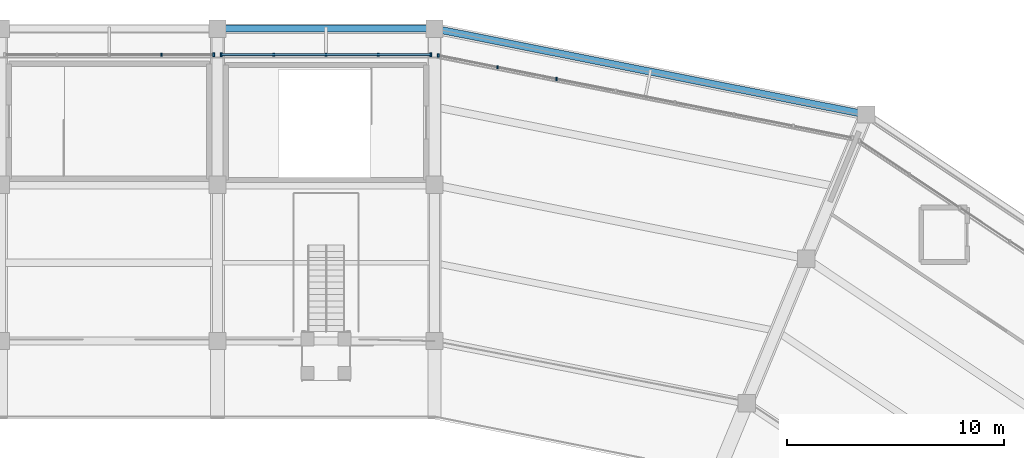
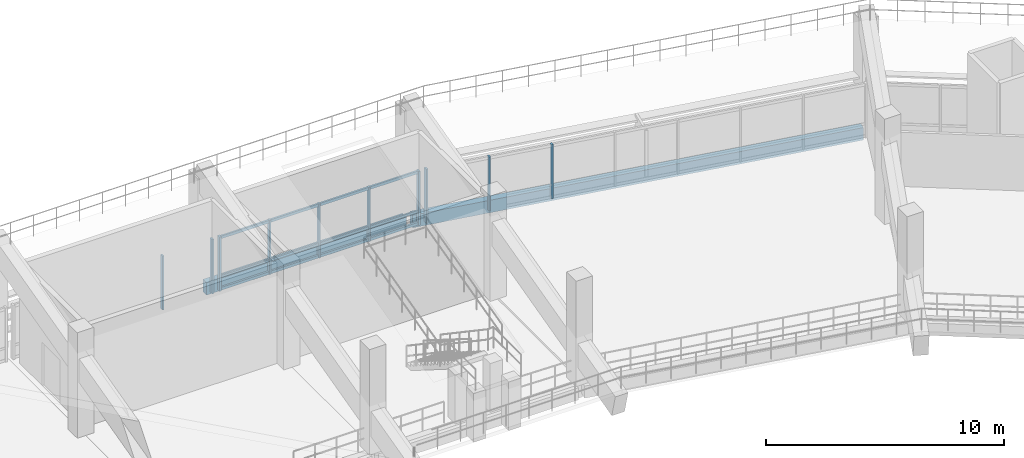
# One storey, part 46 of 96: 13 members, 2 beams, 3 elements without a shape of their own.
"""IFC4 building model written with IfcOpenShell, lengths in metres."""

import ifcopenshell
import ifcopenshell.guid

model = None  # the IFC model being written
_history = None  # IfcOwnerHistory: only IFC2X3 demands one
_inside = {}  # id of a spatial element -> (the spatial element, [elements in it])
_under = {}  # id of a project, library or spatial element -> (it, [spatial elements below it])
_declared = {}  # id of a project -> (the project, [libraries it declares])
_typed = {}  # id of a type object -> (the type object, [elements of that type])
_made_of = {}  # id of a material, layer set ... -> (it, [elements and type objects made of it])


def new_model(schema):
    """Start an empty IFC model of exactly this schema.

    Asked for "IFC4X3", IfcOpenShell would pick the latest addendum, in which some entities
    have other attributes; the version numbers below select the first issue.
    IFC2X3 requires an IfcOwnerHistory on every rooted entity: one is made here for all.
    """
    global model, _history
    if schema == "IFC4X3":
        model = ifcopenshell.file(schema_version=(4, 3, 0, 0))
    else:
        model = ifcopenshell.file(schema=schema)
    _inside.clear()
    _under.clear()
    _declared.clear()
    _typed.clear()
    _made_of.clear()
    _history = None
    if model.schema == "IFC2X3":
        org = make("IfcOrganization", Name="unknown")
        user = make(
            "IfcPersonAndOrganization",
            ThePerson=make("IfcPerson", FamilyName="unknown"),
            TheOrganization=org,
        )
        app = make(
            "IfcApplication",
            ApplicationDeveloper=org,
            Version="unknown",
            ApplicationFullName="unknown",
            ApplicationIdentifier="unknown",
        )
        _history = make(
            "IfcOwnerHistory",
            OwningUser=user,
            OwningApplication=app,
            ChangeAction="ADDED",
            CreationDate=0,
        )
    return model


def make(cls, **values):
    """One entity of the class cls with the attributes given. An attribute that is None is left unset."""
    return model.create_entity(
        cls, **{name: value for name, value in values.items() if value is not None}
    )


def rooted(cls, **values):
    """An entity with a GlobalId (a new one), such as an element, a storey or a relation."""
    return make(cls, GlobalId=ifcopenshell.guid.new(), OwnerHistory=_history, **values)


def si_unit(unit_type, name, prefix=None):
    """IfcSIUnit, for example si_unit("LENGTHUNIT", "METRE", prefix="MILLI")."""
    return make("IfcSIUnit", UnitType=unit_type, Prefix=prefix, Name=name)


def assignment(units):
    """IfcUnitAssignment: the units of a project."""
    return None if units is None else make("IfcUnitAssignment", Units=units)


def point(xyz):
    """IfcCartesianPoint."""
    return None if xyz is None else make("IfcCartesianPoint", Coordinates=xyz)


def direction(xyz):
    """IfcDirection."""
    return None if xyz is None else make("IfcDirection", DirectionRatios=xyz)


def frame(location, z_axis=None, x_axis=None):
    """IfcAxis2Placement3D, a coordinate frame: its origin and axes. An axis left out is left unset."""
    return make(
        "IfcAxis2Placement3D",
        Location=point(location),
        Axis=direction(z_axis),
        RefDirection=direction(x_axis),
    )


def frame_2d(location, x_axis=None):
    """IfcAxis2Placement2D, a coordinate frame in the plane: its origin and x axis."""
    return make(
        "IfcAxis2Placement2D", Location=point(location), RefDirection=direction(x_axis)
    )


def origin():
    """The frame at (0, 0, 0) with its axes left unset."""
    return frame((0.0, 0.0, 0.0))


def origin_2d():
    """The frame at (0, 0) in the plane with its x axis left unset."""
    return frame_2d((0.0, 0.0))


def place(relative_to, where):
    """IfcLocalPlacement: puts the frame where relative to a parent placement (None: the world)."""
    return make(
        "IfcLocalPlacement", PlacementRelTo=relative_to, RelativePlacement=where
    )


def context(
    kind, dimensions, precision=None, world=None, true_north=None, identifier=None
):
    """IfcGeometricRepresentationContext, for example the 3D "Model" context."""
    return make(
        "IfcGeometricRepresentationContext",
        ContextIdentifier=identifier,
        ContextType=kind,
        CoordinateSpaceDimension=dimensions,
        Precision=precision,
        WorldCoordinateSystem=world,
        TrueNorth=true_north,
    )


def subcontext(parent, identifier, kind, view, scale=None):
    """IfcGeometricRepresentationSubContext, for example "Body" below "Model"."""
    return make(
        "IfcGeometricRepresentationSubContext",
        ContextIdentifier=identifier,
        ContextType=kind,
        ParentContext=parent,
        TargetScale=scale,
        TargetView=view,
    )


def project(units=None, contexts=None):
    """IfcProject with its units and contexts."""
    return rooted(
        "IfcProject",
        Name="project",
        RepresentationContexts=contexts,
        UnitsInContext=assignment(units),
    )


def spatial(cls, under=None, at=None, **own):
    """A site, building, storey or space (cls), placed at a placement, below another one or the project."""
    s = rooted(cls, ObjectPlacement=at, **own)
    if under is not None:
        _under.setdefault(under.id(), (under, []))[1].append(s)
    return s


def profile(cls, at=None, kind="AREA", **sizes):
    """A parametric profile (cls). Its sizes go by their IFC names, for example OverallWidth=200.0."""
    return make(cls, ProfileType=kind, Position=at, **sizes)


def rectangle(**sizes):
    """IfcRectangleProfileDef."""
    return profile("IfcRectangleProfileDef", **sizes)


def extrude(swept, where, along, depth):
    """IfcExtrudedAreaSolid: the profile swept, set in the frame where, extruded along a direction by depth."""
    return make(
        "IfcExtrudedAreaSolid",
        SweptArea=swept,
        Position=where,
        ExtrudedDirection=direction(along),
        Depth=depth,
    )


def shape(context_of_items, identifier, shape_type, items):
    """IfcShapeRepresentation: the items that make up one representation, for example the "Body"."""
    return make(
        "IfcShapeRepresentation",
        ContextOfItems=context_of_items,
        RepresentationIdentifier=identifier,
        RepresentationType=shape_type,
        Items=items,
    )


def material(Name=None, Category=None):
    """IfcMaterial."""
    return make("IfcMaterial", Name=Name, Category=Category)


def material_profile(
    of_material, cross_section, Name=None, Category=None, Priority=None
):
    """IfcMaterialProfile: a cross section and its material."""
    return make(
        "IfcMaterialProfile",
        Name=Name,
        Material=of_material,
        Profile=cross_section,
        Priority=Priority,
        Category=Category,
    )


def profile_set(profiles, Name=None, composite=None):
    """IfcMaterialProfileSet."""
    return make(
        "IfcMaterialProfileSet",
        Name=Name,
        MaterialProfiles=profiles,
        CompositeProfile=composite,
    )


def made_of(thing, what):
    """Note that an element or type object is made of a material, layer set ...; save() writes the relation."""
    if what is not None:
        _made_of.setdefault(what.id(), (what, []))[1].append(thing)
    return thing


def type_object(cls, material=None, **own):
    """A type object (cls), such as IfcWallType, which elements share."""
    return made_of(rooted(cls, **own), material)


def element(
    cls,
    number,
    at=None,
    inside=None,
    cuts=None,
    type_object=None,
    material=None,
    context=None,
    identifier="Body",
    shape_type=None,
    held_by="IfcProductDefinitionShape",
    body=None,
    shapes=None,
    **own,
):
    """One element of the class cls, such as IfcWall. Its Tag is "e" and its number.

    at: its placement. inside: the storey or other place that contains it. cuts: it is an
    opening in that element (IfcRelVoidsElement). A single representation is given by context,
    identifier, shape_type and body (its items); several are given by shapes. held_by: the class
    of the entity that holds the representations. save() writes the other relations.
    """
    e = rooted(cls, Tag="e%d" % number, ObjectPlacement=at, **own)
    if body is not None:
        shapes = [shape(context, identifier, shape_type, body)]
    if shapes is not None:
        e.Representation = make(held_by, Representations=shapes)
    if inside is not None:
        _inside.setdefault(inside.id(), (inside, []))[1].append(e)
    if cuts is not None:
        rooted(
            "IfcRelVoidsElement", RelatingBuildingElement=cuts, RelatedOpeningElement=e
        )
    if type_object is not None:
        _typed.setdefault(type_object.id(), (type_object, []))[1].append(e)
    return made_of(e, material)


def aggregate(whole, parts):
    """IfcRelAggregates: a whole, such as a stair, and the parts it consists of."""
    return rooted("IfcRelAggregates", RelatingObject=whole, RelatedObjects=parts)


def save(model, path):
    """Write the relations noted so far, then the file.

    IfcRelAggregates (storeys below a building ...), IfcRelContainedInSpatialStructure (elements
    in a storey), IfcRelDefinesByType, IfcRelAssociatesMaterial and IfcRelDeclares: one each for
    every whole, place, type object, material and project.
    """
    for whole, parts in _under.values():
        aggregate(whole, parts)
    for where, things in _inside.values():
        rooted(
            "IfcRelContainedInSpatialStructure",
            RelatedElements=things,
            RelatingStructure=where,
        )
    for kind, things in _typed.values():
        rooted("IfcRelDefinesByType", RelatedObjects=things, RelatingType=kind)
    for what, things in _made_of.values():
        rooted("IfcRelAssociatesMaterial", RelatedObjects=things, RelatingMaterial=what)
    for by, libraries in _declared.values():
        rooted("IfcRelDeclares", RelatingContext=by, RelatedDefinitions=libraries)
    model.write(path)


model = new_model("IFC4")

# Units and contexts
model_context = context("Model", 3, precision=1e-05, world=origin(), true_north=direction((0.0, 1.0)))
body_context = subcontext(model_context, "Body", "Model", "MODEL_VIEW")
ifc_project = project(units=[si_unit("LENGTHUNIT", "METRE"), si_unit("AREAUNIT", "SQUARE_METRE"), si_unit("VOLUMEUNIT", "CUBIC_METRE"), si_unit("PLANEANGLEUNIT", "RADIAN"), si_unit("MASSUNIT", "GRAM", prefix="KILO")], contexts=[model_context])

# Site, building, storey
site_placement = place(None, origin())
site = spatial("IfcSite", under=ifc_project, at=site_placement, CompositionType="ELEMENT")
building_placement = place(site_placement, origin())
building = spatial("IfcBuilding", under=site, at=building_placement, Name="Candeia Ridge Stadium", CompositionType="ELEMENT")
storey_placement = place(building_placement, frame((0.0, 0.0, 21.60009765625)))
storey = spatial("IfcBuildingStorey", under=building, at=storey_placement, Name="L04", CompositionType="ELEMENT", Elevation=21.60009765625)

# Curtain wall, members
ifc_material_1 = material(Name="Aluminium Anodized Warm Bronze", Category="aluminium")
curtain_wall_type = type_object("IfcCurtainWallType", Name="Concourse Recessed Unitised Curtain Wall", PredefinedType="NOTDEFINED", material=ifc_material_1)
curtain_wall_1_placement = place(storey_placement, origin())
curtain_wall_1 = element("IfcCurtainWall", 1, at=curtain_wall_1_placement, inside=storey, type_object=curtain_wall_type, Name="Unitised curtain wall CW-BWL-L04-00", PredefinedType="NOTDEFINED")
ifc_material_profile_1 = material_profile(ifc_material_1, rectangle(XDim=0.090087890625, YDim=0.179931640625, at=origin_2d()), Name="CWM-90x180", Category="aluminium")
ifc_profile_set_1 = profile_set([ifc_material_profile_1], Name="Aluminium Anodized Warm Bronze")
member_type_1 = type_object("IfcMemberType", Name="Curtain Wall Primary Mullion 90x180", PredefinedType="MULLION", material=ifc_profile_set_1)
member_1_placement = place(storey_placement, frame((140.820068359375, 145.800048828125, 0.0), z_axis=(0.0, 0.0, 1.0), x_axis=(1.0, 0.0, 0.0)))
member_1 = element("IfcMember", 2, at=member_1_placement, type_object=member_type_1, Name="Curtain wall mullion CW-BWL-L04-00-M0", PredefinedType="MULLION", context=body_context, shape_type="SweptSolid", body=[
    extrude(rectangle(XDim=0.090087890625, YDim=0.179931640625, at=origin_2d()), origin(), (0.0, 0.0, 1.0), 2.772216796875),
])
member_2_placement = place(storey_placement, frame((131.179931640625, 145.800048828125, 0.0), z_axis=(0.0, 0.0, 1.0), x_axis=(1.0, 0.0, 0.0)))
member_2 = element("IfcMember", 3, at=member_2_placement, type_object=member_type_1, Name="Curtain wall mullion CW-BWL-L04-00-M4", PredefinedType="MULLION", context=body_context, shape_type="SweptSolid", body=[
    extrude(rectangle(XDim=0.090087890625, YDim=0.179931640625, at=origin_2d()), origin(), (0.0, 0.0, 1.0), 2.772216796875),
])

# Curtain wall, member
curtain_wall_2_placement = place(storey_placement, origin())
curtain_wall_2 = element("IfcCurtainWall", 4, at=curtain_wall_2_placement, inside=storey, type_object=curtain_wall_type, Name="Unitised curtain wall CW-BWL-L04-01", PredefinedType="NOTDEFINED")
member_3_placement = place(storey_placement, frame((130.820068359375, 145.800048828125, 0.0), z_axis=(0.0, 0.0, 1.0), x_axis=(1.0, 0.0, 0.0)))
member_3 = element("IfcMember", 5, at=member_3_placement, type_object=member_type_1, Name="Curtain wall mullion CW-BWL-L04-01-M0", PredefinedType="MULLION", context=body_context, shape_type="SweptSolid", body=[
    extrude(rectangle(XDim=0.090087890625, YDim=0.179931640625, at=origin_2d()), origin(), (0.0, 0.0, 1.0), 2.772216796875),
])

curtain_wall_3_placement = place(storey_placement, origin())
curtain_wall_3 = element("IfcCurtainWall", 6, at=curtain_wall_3_placement, inside=storey, type_object=curtain_wall_type, Name="Unitised curtain wall CW-BWL-L04-35", PredefinedType="NOTDEFINED")
member_4_placement = place(storey_placement, frame((141.176513671875, 145.764892578125, 0.0), z_axis=(0.0, 0.0, 1.0), x_axis=(1.0, 0.0, 0.0)))
member_4 = element("IfcMember", 7, at=member_4_placement, type_object=member_type_1, Name="Curtain wall mullion CW-BWL-L04-35-M7", PredefinedType="MULLION", context=body_context, shape_type="SweptSolid", body=[
    extrude(rectangle(XDim=0.090087890625, YDim=0.179931640625, at=origin_2d()), origin(), (0.0, 0.0, 1.0), 2.772216796875),
])

# Member
ifc_material_profile_2 = material_profile(ifc_material_1, rectangle(XDim=0.074951171875, YDim=0.14990234375, at=origin_2d()), Name="CWM-75x150", Category="aluminium")
ifc_profile_set_2 = profile_set([ifc_material_profile_2], Name="Aluminium Anodized Warm Bronze")
member_type_2 = type_object("IfcMemberType", Name="Curtain Wall Secondary Mullion 75x150", PredefinedType="MULLION", material=ifc_profile_set_2)
member_5_placement = place(storey_placement, frame((138.409912109375, 145.800048828125, 0.0), z_axis=(0.0, 0.0, 1.0), x_axis=(1.0, 0.0, 0.0)))
member_5 = element("IfcMember", 8, at=member_5_placement, type_object=member_type_2, Name="Curtain wall mullion CW-BWL-L04-00-M1", PredefinedType="MULLION", context=body_context, shape_type="SweptSolid", body=[
    extrude(rectangle(XDim=0.074951171875, YDim=0.14990234375, at=origin_2d()), origin(), (0.0, 0.0, 1.0), 2.772216796875),
])

member_6_placement = place(storey_placement, frame((136.0, 145.800048828125, 0.0), z_axis=(0.0, 0.0, 1.0), x_axis=(1.0, 0.0, 0.0)))
member_6 = element("IfcMember", 9, at=member_6_placement, type_object=member_type_2, Name="Curtain wall mullion CW-BWL-L04-00-M2", PredefinedType="MULLION", context=body_context, shape_type="SweptSolid", body=[
    extrude(rectangle(XDim=0.074951171875, YDim=0.14990234375, at=origin_2d()), origin(), (0.0, 0.0, 1.0), 2.772216796875),
])

member_7_placement = place(storey_placement, frame((133.590087890625, 145.800048828125, 0.0), z_axis=(0.0, 0.0, 1.0), x_axis=(1.0, 0.0, 0.0)))
member_7 = element("IfcMember", 10, at=member_7_placement, type_object=member_type_2, Name="Curtain wall mullion CW-BWL-L04-00-M3", PredefinedType="MULLION", context=body_context, shape_type="SweptSolid", body=[
    extrude(rectangle(XDim=0.074951171875, YDim=0.14990234375, at=origin_2d()), origin(), (0.0, 0.0, 1.0), 2.772216796875),
])

member_8_placement = place(storey_placement, frame((128.409912109375, 145.800048828125, 0.0), z_axis=(0.0, 0.0, 1.0), x_axis=(1.0, 0.0, 0.0)))
member_8 = element("IfcMember", 11, at=member_8_placement, type_object=member_type_2, Name="Curtain wall mullion CW-BWL-L04-01-M1", PredefinedType="MULLION", context=body_context, shape_type="SweptSolid", body=[
    extrude(rectangle(XDim=0.074951171875, YDim=0.14990234375, at=origin_2d()), origin(), (0.0, 0.0, 1.0), 2.772216796875),
])

aggregate(curtain_wall_2, [member_3, member_8])

member_9_placement = place(storey_placement, frame((146.6298828125, 144.68017578125, 0.0), z_axis=(0.0, 0.0, 1.0), x_axis=(1.0, 0.0, 0.0)))
member_9 = element("IfcMember", 12, at=member_9_placement, type_object=member_type_2, Name="Curtain wall mullion CW-BWL-L04-35-M5", PredefinedType="MULLION", context=body_context, shape_type="SweptSolid", body=[
    extrude(rectangle(XDim=0.074951171875, YDim=0.14990234375, at=origin_2d()), origin(), (0.0, 0.0, 1.0), 2.772216796875),
])

member_10_placement = place(storey_placement, frame((143.9033203125, 145.222412109375, 0.0), z_axis=(0.0, 0.0, 1.0), x_axis=(1.0, 0.0, 0.0)))
member_10 = element("IfcMember", 13, at=member_10_placement, type_object=member_type_2, Name="Curtain wall mullion CW-BWL-L04-35-M6", PredefinedType="MULLION", context=body_context, shape_type="SweptSolid", body=[
    extrude(rectangle(XDim=0.074951171875, YDim=0.14990234375, at=origin_2d()), origin(), (0.0, 0.0, 1.0), 2.772216796875),
])

aggregate(curtain_wall_3, [member_9, member_10, member_4])

ifc_material_profile_3 = material_profile(ifc_material_1, rectangle(XDim=0.074951171875, YDim=0.110107421875, at=origin_2d()), Name="CWT-75x110", Category="aluminium")
ifc_profile_set_3 = profile_set([ifc_material_profile_3], Name="Aluminium Anodized Warm Bronze")
member_type_3 = type_object("IfcMemberType", Name="Curtain Wall Secondary Transom 75x110", PredefinedType="USERDEFINED", material=ifc_profile_set_3)
member_11_placement = place(storey_placement, frame((140.820068359375, 145.800048828125, 0.693115234375), z_axis=(-1.0, 0.0, 0.0), x_axis=(0.0, -1.0, 0.0)))
member_11 = element("IfcMember", 14, at=member_11_placement, type_object=member_type_3, Name="Curtain wall transom CW-BWL-L04-00-T1", ObjectType="TRANSOM", PredefinedType="USERDEFINED", context=body_context, shape_type="SweptSolid", body=[
    extrude(rectangle(XDim=0.074951171875, YDim=0.110107421875, at=origin_2d()), origin(), (0.0, 0.0, 1.0), 9.64013671875),
])

ifc_material_profile_4 = material_profile(ifc_material_1, rectangle(XDim=0.090087890625, YDim=0.139892578125, at=origin_2d()), Name="CWT-90x140", Category="aluminium")
ifc_profile_set_4 = profile_set([ifc_material_profile_4], Name="Aluminium Anodized Warm Bronze")
member_type_4 = type_object("IfcMemberType", Name="Curtain Wall Transom 90x140", PredefinedType="USERDEFINED", material=ifc_profile_set_4)
member_12_placement = place(storey_placement, frame((140.820068359375, 145.800048828125, 0.06982421875), z_axis=(-1.0, 0.0, 0.0), x_axis=(0.0, -1.0, 0.0)))
member_12 = element("IfcMember", 15, at=member_12_placement, type_object=member_type_4, Name="Curtain wall transom CW-BWL-L04-00-T0", ObjectType="TRANSOM", PredefinedType="USERDEFINED", context=body_context, shape_type="SweptSolid", body=[
    extrude(rectangle(XDim=0.090087890625, YDim=0.139892578125, at=origin_2d()), origin(), (0.0, 0.0, 1.0), 9.64013671875),
])

member_13_placement = place(storey_placement, frame((140.820068359375, 145.800048828125, 2.7021484375), z_axis=(-1.0, 0.0, 0.0), x_axis=(0.0, -1.0, 0.0)))
member_13 = element("IfcMember", 16, at=member_13_placement, type_object=member_type_4, Name="Curtain wall transom CW-BWL-L04-00-T2", ObjectType="TRANSOM", PredefinedType="USERDEFINED", context=body_context, shape_type="SweptSolid", body=[
    extrude(rectangle(XDim=0.090087890625, YDim=0.139892578125, at=origin_2d()), origin(), (0.0, 0.0, 1.0), 9.64013671875),
])

aggregate(curtain_wall_1, [member_1, member_5, member_6, member_7, member_2, member_12, member_11, member_13])

# Beams
ifc_material_2 = material(Name="Concrete C40/50", Category="concrete")
ifc_material_profile_5 = material_profile(ifc_material_2, rectangle(XDim=0.320068359375, YDim=0.6201171875, at=origin_2d()), Name="RC320x620", Category="concrete")
ifc_profile_set_5 = profile_set([ifc_material_profile_5], Name="Concrete C40/50")
beam_type_1 = type_object("IfcBeamType", Name="Spandrel Beam RC320x620", PredefinedType="SPANDREL", material=ifc_profile_set_5)
beam_1_placement = place(storey_placement, frame((140.840087890625, 147.0, -0.570068359375), z_axis=(-1.0, 0.0, 0.0), x_axis=(0.0, -1.0, 0.0)))
element("IfcBeam", 17, at=beam_1_placement, inside=storey, type_object=beam_type_1, Name="Bowl perimeter spandrel BM-L04-0795", PredefinedType="SPANDREL", context=body_context, shape_type="SweptSolid", body=[
    extrude(rectangle(XDim=0.320068359375, YDim=0.6201171875, at=origin_2d()), origin(), (0.0, 0.0, 1.0), 9.68017578125),
])
ifc_material_profile_6 = material_profile(ifc_material_2, rectangle(XDim=0.330078125, YDim=0.639892578125, at=origin_2d()), Name="RC330x640", Category="concrete")
ifc_profile_set_6 = profile_set([ifc_material_profile_6], Name="Concrete C40/50")
beam_type_2 = type_object("IfcBeamType", Name="Spandrel Beam RC330x640", PredefinedType="SPANDREL", material=ifc_profile_set_6)
beam_2_placement = place(storey_placement, frame((160.74267578125, 143.072998046875, -0.580078125), z_axis=(-0.980786091775, 0.195086242929, 0.0), x_axis=(-0.195086242929, -0.980786091775, 0.0)))
element("IfcBeam", 18, at=beam_2_placement, inside=storey, type_object=beam_type_2, Name="Bowl perimeter spandrel BM-L04-0958", PredefinedType="SPANDREL", context=body_context, shape_type="SweptSolid", body=[
    extrude(rectangle(XDim=0.330078125, YDim=0.639892578125, at=origin_2d()), origin(), (0.0, 0.0, 1.0), 19.969482421875),
])

save(model, "model.ifc")
